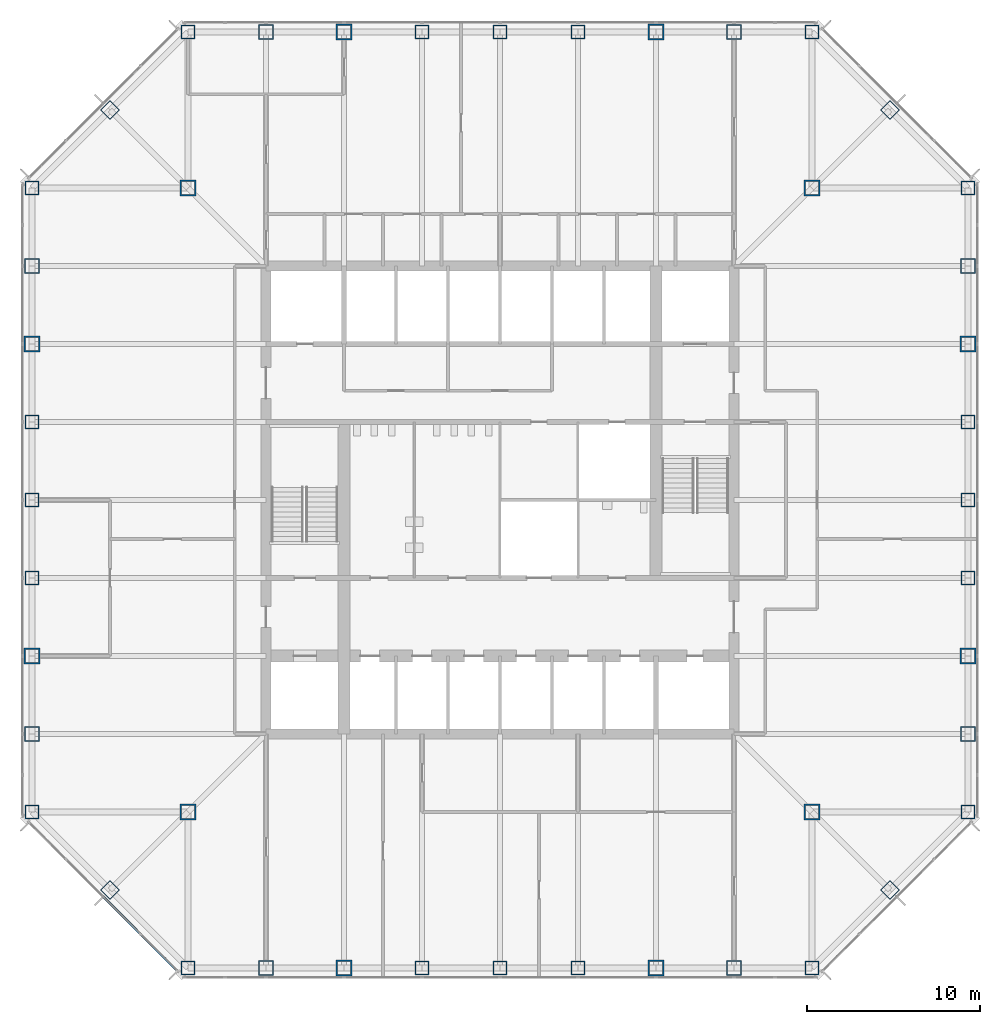
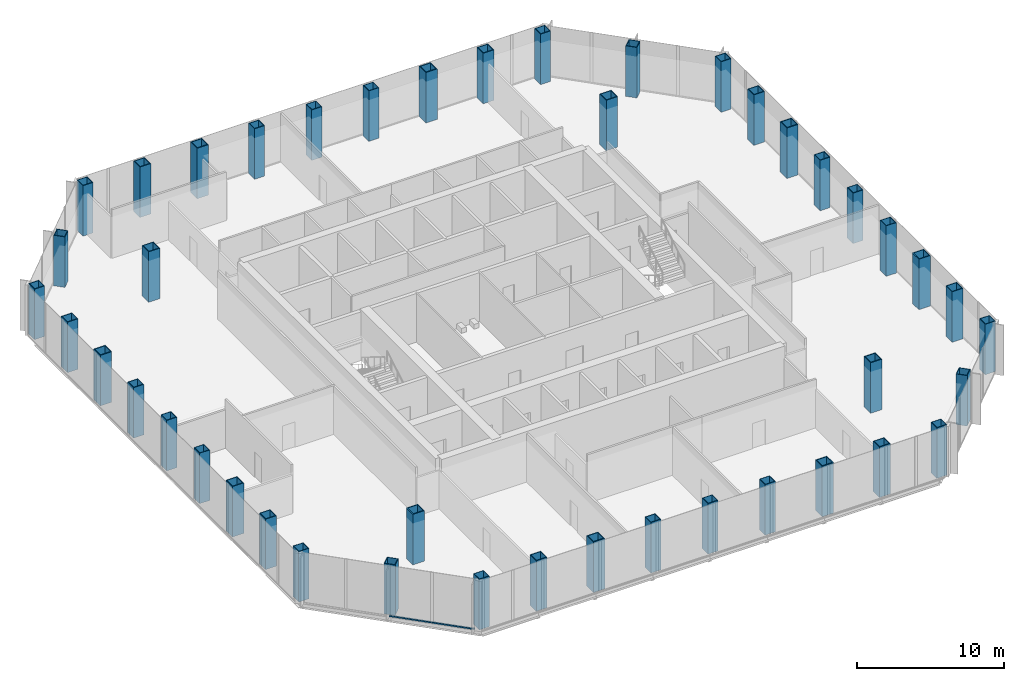
# One storey, part 1 of 13: 44 columns, 2 members, 1 element without a shape of its own.
"""IFC4 building model written with IfcOpenShell, lengths in metres."""

import ifcopenshell
import ifcopenshell.guid

model = None  # the IFC model being written
_history = None  # IfcOwnerHistory: only IFC2X3 demands one
_inside = {}  # id of a spatial element -> (the spatial element, [elements in it])
_under = {}  # id of a project, library or spatial element -> (it, [spatial elements below it])
_declared = {}  # id of a project -> (the project, [libraries it declares])
_typed = {}  # id of a type object -> (the type object, [elements of that type])
_made_of = {}  # id of a material, layer set ... -> (it, [elements and type objects made of it])


def new_model(schema):
    """Start an empty IFC model of exactly this schema.

    Asked for "IFC4X3", IfcOpenShell would pick the latest addendum, in which some entities
    have other attributes; the version numbers below select the first issue.
    IFC2X3 requires an IfcOwnerHistory on every rooted entity: one is made here for all.
    """
    global model, _history
    if schema == "IFC4X3":
        model = ifcopenshell.file(schema_version=(4, 3, 0, 0))
    else:
        model = ifcopenshell.file(schema=schema)
    _inside.clear()
    _under.clear()
    _declared.clear()
    _typed.clear()
    _made_of.clear()
    _history = None
    if model.schema == "IFC2X3":
        org = make("IfcOrganization", Name="unknown")
        user = make(
            "IfcPersonAndOrganization",
            ThePerson=make("IfcPerson", FamilyName="unknown"),
            TheOrganization=org,
        )
        app = make(
            "IfcApplication",
            ApplicationDeveloper=org,
            Version="unknown",
            ApplicationFullName="unknown",
            ApplicationIdentifier="unknown",
        )
        _history = make(
            "IfcOwnerHistory",
            OwningUser=user,
            OwningApplication=app,
            ChangeAction="ADDED",
            CreationDate=0,
        )
    return model


def make(cls, **values):
    """One entity of the class cls with the attributes given. An attribute that is None is left unset."""
    return model.create_entity(
        cls, **{name: value for name, value in values.items() if value is not None}
    )


def rooted(cls, **values):
    """An entity with a GlobalId (a new one), such as an element, a storey or a relation."""
    return make(cls, GlobalId=ifcopenshell.guid.new(), OwnerHistory=_history, **values)


def si_unit(unit_type, name, prefix=None):
    """IfcSIUnit, for example si_unit("LENGTHUNIT", "METRE", prefix="MILLI")."""
    return make("IfcSIUnit", UnitType=unit_type, Prefix=prefix, Name=name)


def assignment(units):
    """IfcUnitAssignment: the units of a project."""
    return None if units is None else make("IfcUnitAssignment", Units=units)


def point(xyz):
    """IfcCartesianPoint."""
    return None if xyz is None else make("IfcCartesianPoint", Coordinates=xyz)


def direction(xyz):
    """IfcDirection."""
    return None if xyz is None else make("IfcDirection", DirectionRatios=xyz)


def frame(location, z_axis=None, x_axis=None):
    """IfcAxis2Placement3D, a coordinate frame: its origin and axes. An axis left out is left unset."""
    return make(
        "IfcAxis2Placement3D",
        Location=point(location),
        Axis=direction(z_axis),
        RefDirection=direction(x_axis),
    )


def frame_2d(location, x_axis=None):
    """IfcAxis2Placement2D, a coordinate frame in the plane: its origin and x axis."""
    return make(
        "IfcAxis2Placement2D", Location=point(location), RefDirection=direction(x_axis)
    )


def origin():
    """The frame at (0, 0, 0) with its axes left unset."""
    return frame((0.0, 0.0, 0.0))


def origin_2d():
    """The frame at (0, 0) in the plane with its x axis left unset."""
    return frame_2d((0.0, 0.0))


def place(relative_to, where):
    """IfcLocalPlacement: puts the frame where relative to a parent placement (None: the world)."""
    return make(
        "IfcLocalPlacement", PlacementRelTo=relative_to, RelativePlacement=where
    )


def context(
    kind, dimensions, precision=None, world=None, true_north=None, identifier=None
):
    """IfcGeometricRepresentationContext, for example the 3D "Model" context."""
    return make(
        "IfcGeometricRepresentationContext",
        ContextIdentifier=identifier,
        ContextType=kind,
        CoordinateSpaceDimension=dimensions,
        Precision=precision,
        WorldCoordinateSystem=world,
        TrueNorth=true_north,
    )


def subcontext(parent, identifier, kind, view, scale=None):
    """IfcGeometricRepresentationSubContext, for example "Body" below "Model"."""
    return make(
        "IfcGeometricRepresentationSubContext",
        ContextIdentifier=identifier,
        ContextType=kind,
        ParentContext=parent,
        TargetScale=scale,
        TargetView=view,
    )


def project(units=None, contexts=None):
    """IfcProject with its units and contexts."""
    return rooted(
        "IfcProject",
        Name="project",
        RepresentationContexts=contexts,
        UnitsInContext=assignment(units),
    )


def spatial(cls, under=None, at=None, **own):
    """A site, building, storey or space (cls), placed at a placement, below another one or the project."""
    s = rooted(cls, ObjectPlacement=at, **own)
    if under is not None:
        _under.setdefault(under.id(), (under, []))[1].append(s)
    return s


def profile(cls, at=None, kind="AREA", **sizes):
    """A parametric profile (cls). Its sizes go by their IFC names, for example OverallWidth=200.0."""
    return make(cls, ProfileType=kind, Position=at, **sizes)


def rectangle(**sizes):
    """IfcRectangleProfileDef."""
    return profile("IfcRectangleProfileDef", **sizes)


def hollow_rectangle(**sizes):
    """IfcRectangleHollowProfileDef."""
    return profile("IfcRectangleHollowProfileDef", **sizes)


def extrude(swept, where, along, depth):
    """IfcExtrudedAreaSolid: the profile swept, set in the frame where, extruded along a direction by depth."""
    return make(
        "IfcExtrudedAreaSolid",
        SweptArea=swept,
        Position=where,
        ExtrudedDirection=direction(along),
        Depth=depth,
    )


def shape(context_of_items, identifier, shape_type, items):
    """IfcShapeRepresentation: the items that make up one representation, for example the "Body"."""
    return make(
        "IfcShapeRepresentation",
        ContextOfItems=context_of_items,
        RepresentationIdentifier=identifier,
        RepresentationType=shape_type,
        Items=items,
    )


def material(Name=None, Category=None):
    """IfcMaterial."""
    return make("IfcMaterial", Name=Name, Category=Category)


def material_profile(
    of_material, cross_section, Name=None, Category=None, Priority=None
):
    """IfcMaterialProfile: a cross section and its material."""
    return make(
        "IfcMaterialProfile",
        Name=Name,
        Material=of_material,
        Profile=cross_section,
        Priority=Priority,
        Category=Category,
    )


def profile_set(profiles, Name=None, composite=None):
    """IfcMaterialProfileSet."""
    return make(
        "IfcMaterialProfileSet",
        Name=Name,
        MaterialProfiles=profiles,
        CompositeProfile=composite,
    )


def made_of(thing, what):
    """Note that an element or type object is made of a material, layer set ...; save() writes the relation."""
    if what is not None:
        _made_of.setdefault(what.id(), (what, []))[1].append(thing)
    return thing


def type_object(cls, material=None, **own):
    """A type object (cls), such as IfcWallType, which elements share."""
    return made_of(rooted(cls, **own), material)


def element(
    cls,
    number,
    at=None,
    inside=None,
    cuts=None,
    type_object=None,
    material=None,
    context=None,
    identifier="Body",
    shape_type=None,
    held_by="IfcProductDefinitionShape",
    body=None,
    shapes=None,
    **own,
):
    """One element of the class cls, such as IfcWall. Its Tag is "e" and its number.

    at: its placement. inside: the storey or other place that contains it. cuts: it is an
    opening in that element (IfcRelVoidsElement). A single representation is given by context,
    identifier, shape_type and body (its items); several are given by shapes. held_by: the class
    of the entity that holds the representations. save() writes the other relations.
    """
    e = rooted(cls, Tag="e%d" % number, ObjectPlacement=at, **own)
    if body is not None:
        shapes = [shape(context, identifier, shape_type, body)]
    if shapes is not None:
        e.Representation = make(held_by, Representations=shapes)
    if inside is not None:
        _inside.setdefault(inside.id(), (inside, []))[1].append(e)
    if cuts is not None:
        rooted(
            "IfcRelVoidsElement", RelatingBuildingElement=cuts, RelatedOpeningElement=e
        )
    if type_object is not None:
        _typed.setdefault(type_object.id(), (type_object, []))[1].append(e)
    return made_of(e, material)


def aggregate(whole, parts):
    """IfcRelAggregates: a whole, such as a stair, and the parts it consists of."""
    return rooted("IfcRelAggregates", RelatingObject=whole, RelatedObjects=parts)


def save(model, path):
    """Write the relations noted so far, then the file.

    IfcRelAggregates (storeys below a building ...), IfcRelContainedInSpatialStructure (elements
    in a storey), IfcRelDefinesByType, IfcRelAssociatesMaterial and IfcRelDeclares: one each for
    every whole, place, type object, material and project.
    """
    for whole, parts in _under.values():
        aggregate(whole, parts)
    for where, things in _inside.values():
        rooted(
            "IfcRelContainedInSpatialStructure",
            RelatedElements=things,
            RelatingStructure=where,
        )
    for kind, things in _typed.values():
        rooted("IfcRelDefinesByType", RelatedObjects=things, RelatingType=kind)
    for what, things in _made_of.values():
        rooted("IfcRelAssociatesMaterial", RelatedObjects=things, RelatingMaterial=what)
    for by, libraries in _declared.values():
        rooted("IfcRelDeclares", RelatingContext=by, RelatedDefinitions=libraries)
    model.write(path)


model = new_model("IFC4")

# Units and contexts
model_context = context("Model", 3, precision=1e-05, world=origin(), true_north=direction((0.0, 1.0)))
body_context = subcontext(model_context, "Body", "Model", "MODEL_VIEW")
ifc_project = project(units=[si_unit("LENGTHUNIT", "METRE"), si_unit("AREAUNIT", "SQUARE_METRE"), si_unit("VOLUMEUNIT", "CUBIC_METRE"), si_unit("PLANEANGLEUNIT", "RADIAN"), si_unit("MASSUNIT", "GRAM", prefix="KILO")], contexts=[model_context])

# Site, building, storey
site_placement = place(None, origin())
site = spatial("IfcSite", under=ifc_project, at=site_placement, CompositionType="ELEMENT")
building_placement = place(site_placement, origin())
building = spatial("IfcBuilding", under=site, at=building_placement, Name="Corais Broadcast Tower", CompositionType="ELEMENT")
storey_placement = place(building_placement, frame((0.0, 0.0, 62.60009765625)))
storey = spatial("IfcBuildingStorey", under=building, at=storey_placement, Name="L13", CompositionType="ELEMENT", Elevation=62.60009765625)

# Columns
ifc_material_1 = material(Name="Steel ASTM A572 Grade 50", Category="steel")
ifc_material_profile_1 = material_profile(ifc_material_1, hollow_rectangle(XDim=0.800048828125, YDim=0.800048828125, WallThickness=0.044921875, at=origin_2d()), Name="BOX 800x800x45")
ifc_profile_set_1 = profile_set([ifc_material_profile_1], Name="Steel ASTM A572 Grade 50")
column_type_1 = type_object("IfcColumnType", Name="Column BOX 800x800x45", PredefinedType="COLUMN", material=ifc_profile_set_1)
for number, where, z_axis, x_axis, name in (
    (1, (9.0, 0.0, 0.0), (0.0, 0.0, 1.0), (1.0, 0.0, 0.0), "C3 A/5"),
    (2, (22.5, 0.0, 0.0), (0.0, 0.0, 1.0), (1.0, 0.0, 0.0), "C3 A/8"),
    (3, (27.0, 0.0, 0.0), (0.0, 0.0, 1.0), (1.0, 0.0, 0.0), "C3 A/9"),
    (4, (31.5, 0.0, 0.0), (0.0, 0.0, 1.0), (1.0, 0.0, 0.0), "C3 A/10"),
    (5, (45.0, 0.0, 0.0), (0.0, 0.0, 1.0), (1.0, 0.0, 0.0), "C3 A/13"),
    (6, (54.0, 9.0, 0.0), (0.0, 0.0, 1.0), (1.0, 0.0, 0.0), "C3 C/15"),
    (7, (54.0, 22.5, 0.0), (0.0, 0.0, 1.0), (1.0, 0.0, 0.0), "C3 F/15"),
    (8, (54.0, 27.0, 0.0), (0.0, 0.0, 1.0), (1.0, 0.0, 0.0), "C3 G/15"),
    (9, (54.0, 31.5, 0.0), (0.0, 0.0, 1.0), (1.0, 0.0, 0.0), "C3 H/15"),
    (10, (54.0, 45.0, 0.0), (0.0, 0.0, 1.0), (1.0, 0.0, 0.0), "C3 L/15"),
    (11, (45.0, 54.0, 0.0), (0.0, 0.0, 1.0), (1.0, 0.0, 0.0), "C3 N/13"),
    (12, (31.5, 54.0, 0.0), (0.0, 0.0, 1.0), (1.0, 0.0, 0.0), "C3 N/10"),
    (13, (27.0, 54.0, 0.0), (0.0, 0.0, 1.0), (1.0, 0.0, 0.0), "C3 N/9"),
    (14, (22.5, 54.0, 0.0), (0.0, 0.0, 1.0), (1.0, 0.0, 0.0), "C3 N/8"),
    (15, (9.0, 54.0, 0.0), (0.0, 0.0, 1.0), (1.0, 0.0, 0.0), "C3 N/5"),
    (16, (0.0, 45.0, 0.0), (0.0, 0.0, 1.0), (1.0, 0.0, 0.0), "C3 L/3"),
    (17, (0.0, 31.5, 0.0), (0.0, 0.0, 1.0), (1.0, 0.0, 0.0), "C3 H/3"),
    (18, (0.0, 27.0, 0.0), (0.0, 0.0, 1.0), (1.0, 0.0, 0.0), "C3 G/3"),
    (19, (0.0, 22.5, 0.0), (0.0, 0.0, 1.0), (1.0, 0.0, 0.0), "C3 F/3"),
    (20, (0.0, 9.0, 0.0), (0.0, 0.0, 1.0), (1.0, 0.0, 0.0), "C3 C/3"),
    (21, (4.5, 4.5, 0.0), (0.0, 0.0, 1.0), (0.707106781187, 0.707106781187, 0.0), "C3 B/4"),
    (22, (49.5, 4.5, 0.0), (0.0, 0.0, 1.0), (0.707106781187, 0.707106781187, 0.0), "C3 B/14"),
    (23, (49.5, 49.5, 0.0), (0.0, 0.0, 1.0), (0.707106781187, 0.707106781187, 0.0), "C3 M/14"),
    (24, (4.5, 49.5, 0.0), (0.0, 0.0, 1.0), (0.707106781187, 0.707106781187, 0.0), "C3 M/4"),
):
    element("IfcColumn", number, at=place(storey_placement, frame(where, z_axis=z_axis, x_axis=x_axis)), inside=storey, type_object=column_type_1, Name=name, PredefinedType="COLUMN", context=body_context, shape_type="SweptSolid", body=[
        extrude(hollow_rectangle(XDim=0.800048828125, YDim=0.800048828125, WallThickness=0.044921875, at=origin_2d()), origin(), (0.0, 0.0, 1.0), 4.199951171875),
    ])
ifc_material_2 = material(Name="Steel ASTM A572 Grade 50", Category="steel")
ifc_material_profile_2 = material_profile(ifc_material_2, hollow_rectangle(XDim=0.85009765625, YDim=0.85009765625, WallThickness=0.050048828125, at=origin_2d()), Name="BOX 850x850x50")
ifc_profile_set_2 = profile_set([ifc_material_profile_2], Name="Steel ASTM A572 Grade 50")
column_type_2 = type_object("IfcColumnType", Name="Column BOX 850x850x50", PredefinedType="COLUMN", material=ifc_profile_set_2)
for number, where, z_axis, x_axis, name in (
    (25, (13.5, 0.0, 0.0), (0.0, 0.0, 1.0), (1.0, 0.0, 0.0), "C1 A/6"),
    (26, (40.5, 0.0, 0.0), (0.0, 0.0, 1.0), (1.0, 0.0, 0.0), "C1 A/12"),
    (27, (54.0, 13.5, 0.0), (0.0, 0.0, 1.0), (1.0, 0.0, 0.0), "C1 D/15"),
    (28, (54.0, 40.5, 0.0), (0.0, 0.0, 1.0), (1.0, 0.0, 0.0), "C1 K/15"),
    (29, (40.5, 54.0, 0.0), (0.0, 0.0, 1.0), (1.0, 0.0, 0.0), "C1 N/12"),
    (30, (13.5, 54.0, 0.0), (0.0, 0.0, 1.0), (1.0, 0.0, 0.0), "C1 N/6"),
    (31, (0.0, 40.5, 0.0), (0.0, 0.0, 1.0), (1.0, 0.0, 0.0), "C1 K/3"),
    (32, (0.0, 13.5, 0.0), (0.0, 0.0, 1.0), (1.0, 0.0, 0.0), "C1 D/3"),
):
    element("IfcColumn", number, at=place(storey_placement, frame(where, z_axis=z_axis, x_axis=x_axis)), inside=storey, type_object=column_type_2, Name=name, PredefinedType="COLUMN", context=body_context, shape_type="SweptSolid", body=[
        extrude(hollow_rectangle(XDim=0.85009765625, YDim=0.85009765625, WallThickness=0.050048828125, at=origin_2d()), origin(), (0.0, 0.0, 1.0), 4.199951171875),
    ])
ifc_material_3 = material(Name="Steel ASTM A572 Grade 50", Category="steel")
ifc_material_profile_3 = material_profile(ifc_material_3, hollow_rectangle(XDim=0.89990234375, YDim=0.89990234375, WallThickness=0.06298828125, at=origin_2d()), Name="BOX 900x900x63")
ifc_profile_set_3 = profile_set([ifc_material_profile_3], Name="Steel ASTM A572 Grade 50")
column_type_3 = type_object("IfcColumnType", Name="Column BOX 900x900x63", PredefinedType="COLUMN", material=ifc_profile_set_3)
for number, where, z_axis, x_axis, name in (
    (33, (18.0, 0.0, 0.0), (0.0, 0.0, 1.0), (1.0, 0.0, 0.0), "C2 A/7"),
    (34, (36.0, 0.0, 0.0), (0.0, 0.0, 1.0), (1.0, 0.0, 0.0), "C2 A/11"),
    (35, (54.0, 18.0, 0.0), (0.0, 0.0, 1.0), (1.0, 0.0, 0.0), "C2 E/15"),
    (36, (54.0, 36.0, 0.0), (0.0, 0.0, 1.0), (1.0, 0.0, 0.0), "C2 J/15"),
    (37, (36.0, 54.0, 0.0), (0.0, 0.0, 1.0), (1.0, 0.0, 0.0), "C2 N/11"),
    (38, (18.0, 54.0, 0.0), (0.0, 0.0, 1.0), (1.0, 0.0, 0.0), "C2 N/7"),
    (39, (0.0, 36.0, 0.0), (0.0, 0.0, 1.0), (1.0, 0.0, 0.0), "C2 J/3"),
    (40, (0.0, 18.0, 0.0), (0.0, 0.0, 1.0), (1.0, 0.0, 0.0), "C2 E/3"),
    (41, (9.0, 9.0, 0.0), (0.0, 0.0, 1.0), (1.0, 0.0, 0.0), "C2 C/5"),
    (42, (45.0, 9.0, 0.0), (0.0, 0.0, 1.0), (1.0, 0.0, 0.0), "C2 C/13"),
    (43, (45.0, 45.0, 0.0), (0.0, 0.0, 1.0), (1.0, 0.0, 0.0), "C2 L/13"),
    (44, (9.0, 45.0, 0.0), (0.0, 0.0, 1.0), (1.0, 0.0, 0.0), "C2 L/5"),
):
    element("IfcColumn", number, at=place(storey_placement, frame(where, z_axis=z_axis, x_axis=x_axis)), inside=storey, type_object=column_type_3, Name=name, PredefinedType="COLUMN", context=body_context, shape_type="SweptSolid", body=[
        extrude(hollow_rectangle(XDim=0.89990234375, YDim=0.89990234375, WallThickness=0.06298828125, at=origin_2d()), origin(), (0.0, 0.0, 1.0), 4.199951171875),
    ])

# Curtain wall, members
ifc_material_4 = material(Name="Aluminium and glass", Category="aluminium")
curtain_wall_type = type_object("IfcCurtainWallType", Name="Unitised fritted curtain wall CW1", PredefinedType="NOTDEFINED", material=ifc_material_4)
curtain_wall_placement = place(storey_placement, origin())
curtain_wall = element("IfcCurtainWall", 45, at=curtain_wall_placement, inside=storey, type_object=curtain_wall_type, Name="CW1 curtain wall L13 1", PredefinedType="NOTDEFINED")
ifc_material_5 = material(Name="Aluminium 6063-T6", Category="aluminium")
ifc_material_profile_4 = material_profile(ifc_material_5, rectangle(XDim=0.139892578125, YDim=0.06494140625, at=origin_2d()), Name="Transom CW1 65x140")
ifc_profile_set_4 = profile_set([ifc_material_profile_4], Name="Aluminium 6063-T6")
member_type = type_object("IfcMemberType", Name="Transom CW1 65x140", PredefinedType="USERDEFINED", material=ifc_profile_set_4)
member_1_placement = place(storey_placement, frame((8.37255859375, -0.150390625, 0.032470703125), z_axis=(-0.707106781187, 0.707106781187, 0.0), x_axis=(-0.707106781187, -0.707106781187, 0.0)))
member_1 = element("IfcMember", 46, at=member_1_placement, type_object=member_type, Name="CW1 transom 1.1", ObjectType="TRANSOM", PredefinedType="USERDEFINED", context=body_context, shape_type="SweptSolid", body=[
    extrude(rectangle(XDim=0.139892578125, YDim=0.06494140625, at=origin_2d()), origin(), (0.0, 0.0, 1.0), 2.9482421875),
])
member_2_placement = place(storey_placement, frame((6.241943359375, 1.980224609375, 0.032470703125), z_axis=(-0.707106781187, 0.707106781187, 0.0), x_axis=(-0.707106781187, -0.707106781187, 0.0)))
member_2 = element("IfcMember", 47, at=member_2_placement, type_object=member_type, Name="CW1 transom 2.1", ObjectType="TRANSOM", PredefinedType="USERDEFINED", context=body_context, shape_type="SweptSolid", body=[
    extrude(rectangle(XDim=0.139892578125, YDim=0.06494140625, at=origin_2d()), origin(), (0.0, 0.0, 1.0), 2.98095703125),
])
aggregate(curtain_wall, [member_1, member_2])

save(model, "model.ifc")
